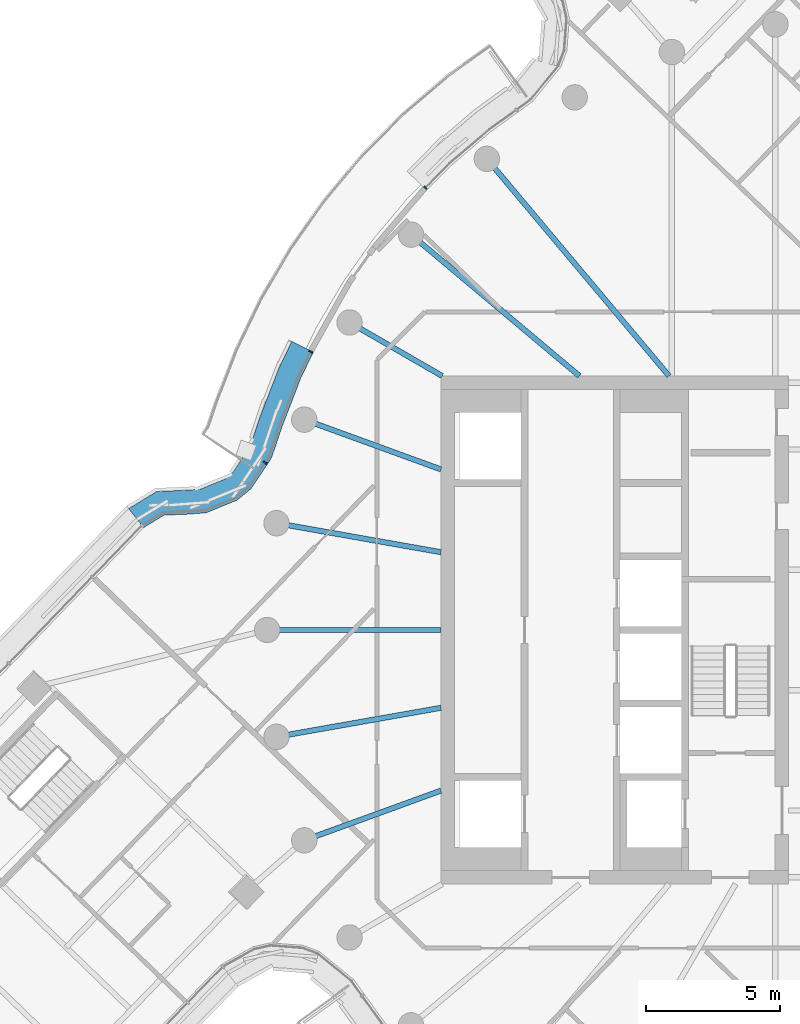
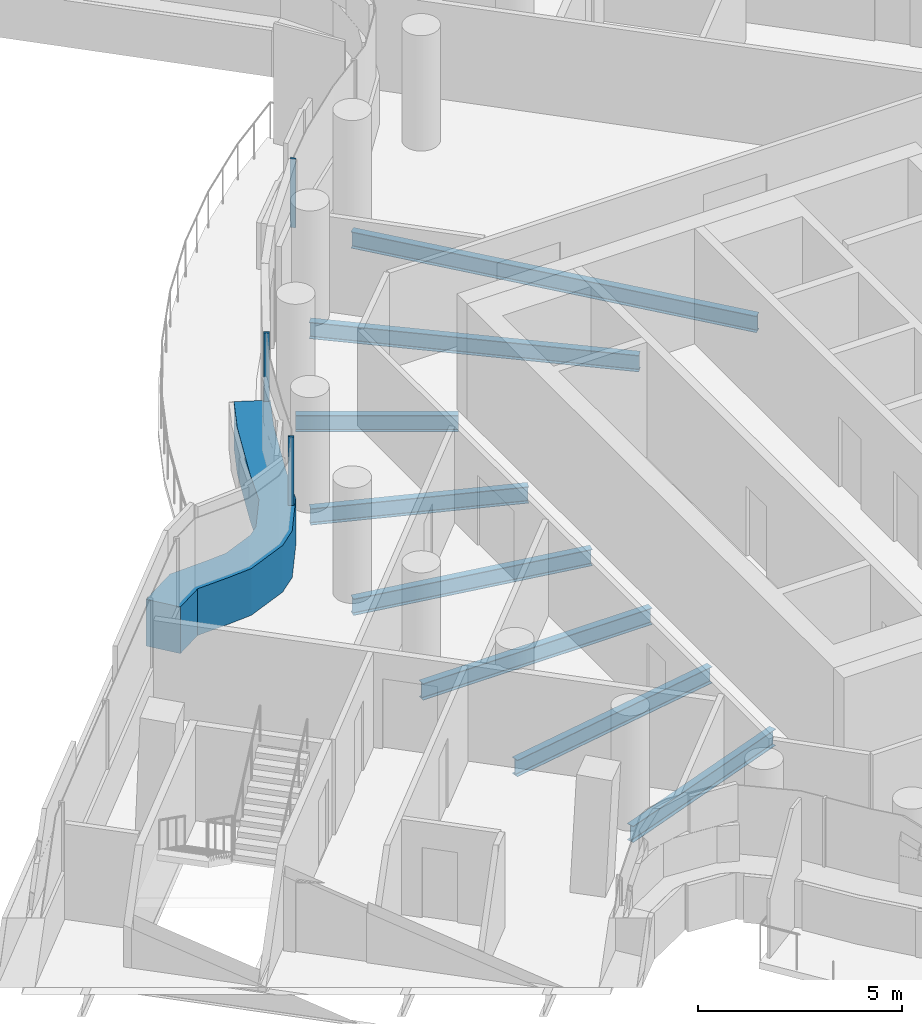
# One storey, part 9 of 31: 8 beams, 4 members, 1 element without a shape of its own.
"""IFC4 building model written with IfcOpenShell, lengths in metres."""

from ifc_helpers import new_model, si_unit, direction, frame, origin, origin_2d, place, context, subcontext, project, spatial, polyline, rectangle, i_section, outline, extrude, material, layer, layer_set, material_profile, profile_set, type_object, element, aggregate, save


model = new_model("IFC4")

# Units and contexts
model_context = context("Model", 3, precision=1e-05, world=origin(), true_north=direction((0.0, 1.0)))
body_context = subcontext(model_context, "Body", "Model", "MODEL_VIEW")
ifc_project = project(units=[si_unit("LENGTHUNIT", "METRE"), si_unit("AREAUNIT", "SQUARE_METRE"), si_unit("VOLUMEUNIT", "CUBIC_METRE"), si_unit("PLANEANGLEUNIT", "RADIAN"), si_unit("MASSUNIT", "GRAM", prefix="KILO")], contexts=[model_context])

# Site, building, storey
site_placement = place(None, origin())
site = spatial("IfcSite", under=ifc_project, at=site_placement, CompositionType="ELEMENT")
building_placement = place(site_placement, origin())
building = spatial("IfcBuilding", under=site, at=building_placement, Name="Tamarind Cross Interchange Tower", CompositionType="ELEMENT")
storey_placement = place(building_placement, frame((0.0, 0.0, 200.5)))
storey = spatial("IfcBuildingStorey", under=building, at=storey_placement, Name="L50", CompositionType="ELEMENT", Elevation=200.5)

# Beams
ifc_material_1 = material(Name="Steel Q355B", Category="steel")
ifc_material_profile_1 = material_profile(ifc_material_1, i_section(OverallWidth=0.198974609375, OverallDepth=0.49609375, WebThickness=0.009033203125, FlangeThickness=0.013916015625, FilletRadius=0.012939453125, at=origin_2d()), Name="HN 496x199x9x14")
ifc_profile_set_1 = profile_set([ifc_material_profile_1], Name="Steel Q355B")
beam_type = type_object("IfcBeamType", Name="Composite beam HN 496x199x9x14 Q355B", PredefinedType="BEAM", material=ifc_profile_set_1)
beam_1_placement = place(storey_placement, frame((-14.7841796875, 17.619140625, -0.387939453125), z_axis=(0.642786293979, -0.766045547127, 0.0), x_axis=(0.766045547127, 0.642786293979, 0.0)))
element("IfcBeam", 1, at=beam_1_placement, inside=storey, type_object=beam_type, Name="Beam HH13", PredefinedType="BEAM", context=body_context, shape_type="SweptSolid", body=[
    extrude(i_section(OverallWidth=0.198974609375, OverallDepth=0.49609375, WebThickness=0.009033203125, FlangeThickness=0.013916015625, FilletRadius=0.012939453125, at=origin_2d()), origin(), (0.0, 0.0, 1.0), 10.598876953125),
])
beam_2_placement = place(storey_placement, frame((-17.619140625, 14.7841796875, -0.387939453125), z_axis=(0.766040580814, -0.642792212574, 0.0), x_axis=(0.642792212574, 0.766040580814, 0.0)))
element("IfcBeam", 2, at=beam_2_placement, inside=storey, type_object=beam_type, Name="Beam HH14", PredefinedType="BEAM", context=body_context, shape_type="SweptSolid", body=[
    extrude(i_section(OverallWidth=0.198974609375, OverallDepth=0.49609375, WebThickness=0.009033203125, FlangeThickness=0.013916015625, FilletRadius=0.012939453125, at=origin_2d()), origin(), (0.0, 0.0, 1.0), 8.220703125),
])
beam_3_placement = place(storey_placement, frame((-19.918701171875, 11.5, -0.387939453125), z_axis=(0.866026010844, -0.49999894854, 0.0), x_axis=(0.49999894854, 0.866026010844, 0.0)))
element("IfcBeam", 3, at=beam_3_placement, inside=storey, type_object=beam_type, Name="Beam HH15", PredefinedType="BEAM", context=body_context, shape_type="SweptSolid", body=[
    extrude(i_section(OverallWidth=0.198974609375, OverallDepth=0.49609375, WebThickness=0.009033203125, FlangeThickness=0.013916015625, FilletRadius=0.012939453125, at=origin_2d()), origin(), (0.0, 0.0, 1.0), 4.0),
])
beam_4_placement = place(storey_placement, frame((-21.613037109375, 7.866455078125, -0.387939453125), z_axis=(0.939701685589, -0.341995236956, 0.0), x_axis=(0.341995236956, 0.939701685589, 0.0)))
element("IfcBeam", 4, at=beam_4_placement, inside=storey, type_object=beam_type, Name="Beam HH16", PredefinedType="BEAM", context=body_context, shape_type="SweptSolid", body=[
    extrude(i_section(OverallWidth=0.198974609375, OverallDepth=0.49609375, WebThickness=0.009033203125, FlangeThickness=0.013916015625, FilletRadius=0.012939453125, at=origin_2d()), origin(), (0.0, 0.0, 1.0), 5.441162109375),
])
beam_5_placement = place(storey_placement, frame((-22.650634765625, 3.993896484375, -0.387939453125), z_axis=(0.984809127561, -0.173640382036, 0.0), x_axis=(0.173640382036, 0.984809127561, 0.0)))
element("IfcBeam", 5, at=beam_5_placement, inside=storey, type_object=beam_type, Name="Beam HH17", PredefinedType="BEAM", context=body_context, shape_type="SweptSolid", body=[
    extrude(i_section(OverallWidth=0.198974609375, OverallDepth=0.49609375, WebThickness=0.009033203125, FlangeThickness=0.013916015625, FilletRadius=0.012939453125, at=origin_2d()), origin(), (0.0, 0.0, 1.0), 6.24560546875),
])
beam_6_placement = place(storey_placement, frame((-23.0, 0.0, -0.387939453125), z_axis=(1.0, 0.0, 0.0), x_axis=(0.0, 1.0, 0.0)))
element("IfcBeam", 6, at=beam_6_placement, inside=storey, type_object=beam_type, Name="Beam HH18", PredefinedType="BEAM", context=body_context, shape_type="SweptSolid", body=[
    extrude(i_section(OverallWidth=0.198974609375, OverallDepth=0.49609375, WebThickness=0.009033203125, FlangeThickness=0.013916015625, FilletRadius=0.012939453125, at=origin_2d()), origin(), (0.0, 0.0, 1.0), 6.5),
])
beam_7_placement = place(storey_placement, frame((-22.650634765625, -3.993896484375, -0.387939453125), z_axis=(0.984809127561, 0.173640382036, 0.0), x_axis=(-0.173640382036, 0.984809127561, 0.0)))
element("IfcBeam", 7, at=beam_7_placement, inside=storey, type_object=beam_type, Name="Beam HH19", PredefinedType="BEAM", context=body_context, shape_type="SweptSolid", body=[
    extrude(i_section(OverallWidth=0.198974609375, OverallDepth=0.49609375, WebThickness=0.009033203125, FlangeThickness=0.013916015625, FilletRadius=0.012939453125, at=origin_2d()), origin(), (0.0, 0.0, 1.0), 6.24560546875),
])
beam_8_placement = place(storey_placement, frame((-21.613037109375, -7.866455078125, -0.387939453125), z_axis=(0.939701685589, 0.341995236956, 0.0), x_axis=(-0.341995236956, 0.939701685589, 0.0)))
element("IfcBeam", 8, at=beam_8_placement, inside=storey, type_object=beam_type, Name="Beam HH20", PredefinedType="BEAM", context=body_context, shape_type="SweptSolid", body=[
    extrude(i_section(OverallWidth=0.198974609375, OverallDepth=0.49609375, WebThickness=0.009033203125, FlangeThickness=0.013916015625, FilletRadius=0.012939453125, at=origin_2d()), origin(), (0.0, 0.0, 1.0), 5.441162109375),
])

# Curtain wall, members
ifc_material_2 = material(Name="Aluminium 6063-T6", Category="aluminium")
ifc_layer = layer(ifc_material_2, 0.139892578125)
ifc_layer_set = layer_set([ifc_layer], Name="Aluminium 6063-T6")
curtain_wall_type = type_object("IfcCurtainWallType", Name="Hotel curtain wall, 4.5 m bays", PredefinedType="NOTDEFINED", material=ifc_layer_set)
curtain_wall_placement = place(storey_placement, origin())
curtain_wall = element("IfcCurtainWall", 9, at=curtain_wall_placement, inside=storey, type_object=curtain_wall_type, Name="CWS-L50-10", PredefinedType="NOTDEFINED")
ifc_material_3 = material(Name="Aluminium and insulated spandrel panel", Category="aluminium")
member_type_1 = type_object("IfcMemberType", Name="Floor-edge blade transom", PredefinedType="USERDEFINED", material=ifc_material_3)
member_1_placement = place(storey_placement, origin())
member_1 = element("IfcMember", 10, at=member_1_placement, type_object=member_type_1, Name="CWT-L50-10-1", ObjectType="TRANSOM", PredefinedType="USERDEFINED", context=body_context, shape_type="SweptSolid", body=[
    extrude(outline(polyline([(-21.27197265625, 10.394287109375), (-21.74072265625, 9.425048828125), (-22.447021484375, 7.591552734375), (-22.83740234375, 6.437744140625), (-23.611572265625, 5.275146484375), (-24.12548828125, 4.854736328125), (-25.2861328125, 4.38134765625), (-25.9365234375, 4.331787109375), (-26.863037109375, 4.290771484375), (-27.617431640625, 3.828857421875), (-28.18505859375, 4.536376953125), (-27.135009765625, 5.1796875), (-25.990478515625, 5.230224609375), (-25.495361328125, 5.267822265625), (-24.590576171875, 5.636962890625), (-24.285888671875, 5.88623046875), (-23.652099609375, 6.838134765625), (-23.29345703125, 7.89794921875), (-22.567138671875, 9.783203125), (-22.08056640625, 10.78955078125), (-21.27197265625, 10.394287109375)])), origin(), (0.0, 0.0, 1.0), 1.39990234375),
])
ifc_material_profile_2 = material_profile(ifc_material_2, rectangle(XDim=0.06005859375, YDim=0.139892578125, at=origin_2d()), Name="Mullion CW2")
ifc_profile_set_2 = profile_set([ifc_material_profile_2], Name="Aluminium 6063-T6")
member_type_2 = type_object("IfcMemberType", Name="Mullion CW2", PredefinedType="MULLION", material=ifc_profile_set_2)
member_2_placement = place(storey_placement, frame((-17.084716796875, 16.536865234375, 1.39990234375), z_axis=(0.0, 0.0, 1.0), x_axis=(-0.704057148523, -0.710143317658, 0.0)))
member_2 = element("IfcMember", 11, at=member_2_placement, type_object=member_type_2, Name="CWM-L50-10-02", PredefinedType="MULLION", context=body_context, shape_type="SweptSolid", body=[
    extrude(rectangle(XDim=0.06005859375, YDim=0.139892578125, at=origin_2d()), origin(), (0.0, 0.0, 1.0), 2.06005859375),
])
member_3_placement = place(storey_placement, frame((-21.374755859375, 10.411376953125, 1.39990234375), z_axis=(0.0, 0.0, 1.0), x_axis=(-0.435326231914, -0.900272776334, 0.0)))
member_3 = element("IfcMember", 12, at=member_3_placement, type_object=member_type_2, Name="CWM-L50-10-03", PredefinedType="MULLION", context=body_context, shape_type="SweptSolid", body=[
    extrude(rectangle(XDim=0.06005859375, YDim=0.139892578125, at=origin_2d()), origin(), (0.0, 0.0, 1.0), 2.06005859375),
])
member_4_placement = place(storey_placement, frame((-23.075927734375, 6.260009765625, 1.39990234375), z_axis=(0.0, 0.0, 1.0), x_axis=(-0.554175191655, -0.832400058238, 0.0)))
member_4 = element("IfcMember", 13, at=member_4_placement, type_object=member_type_2, Name="CWM-L50-10-04", PredefinedType="MULLION", context=body_context, shape_type="SweptSolid", body=[
    extrude(rectangle(XDim=0.06005859375, YDim=0.139892578125, at=origin_2d()), origin(), (0.0, 0.0, 1.0), 2.06005859375),
])
aggregate(curtain_wall, [member_2, member_3, member_4, member_1])

save(model, "model.ifc")
